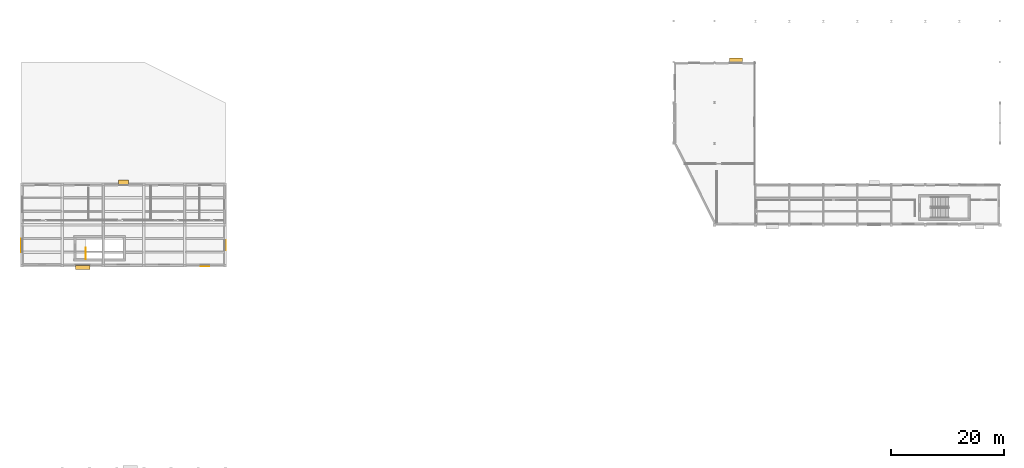
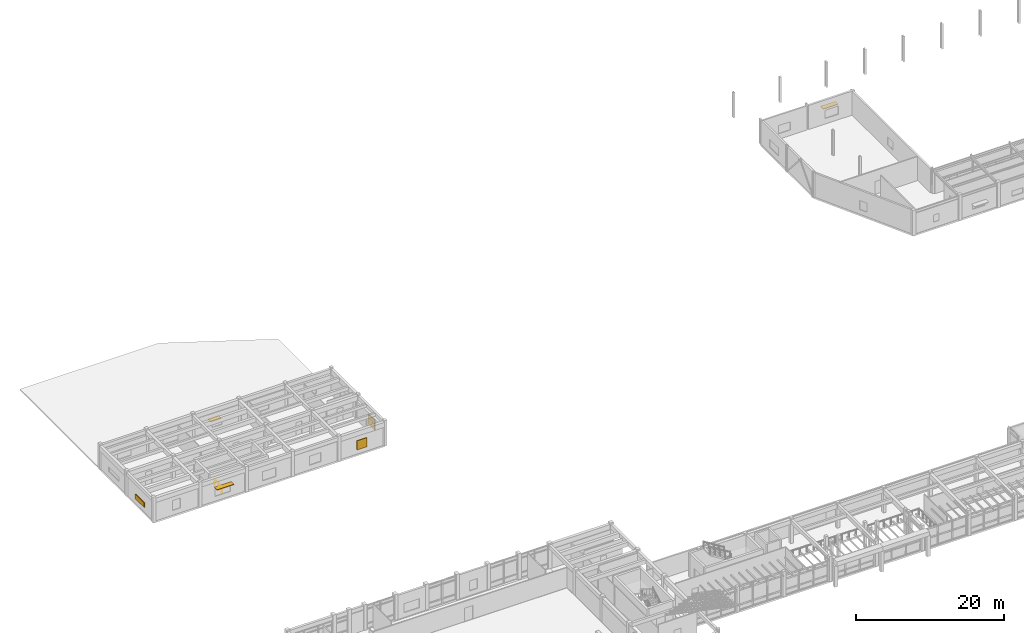
# One storey, part 55 of 60: 6 shading devices, 1 railing.
"""IFC4 building model written with IfcOpenShell, lengths in metres."""

from ifc_helpers import new_model, si_unit, direction, frame, origin, origin_2d, place, context, subcontext, project, spatial, rectangle, circle, extrude, material, layer, layer_set, type_object, element, save


model = new_model("IFC4")

# Units and contexts
model_context = context("Model", 3, precision=1e-05, world=origin(), true_north=direction((0.0, 1.0)))
body_context = subcontext(model_context, "Body", "Model", "MODEL_VIEW")
ifc_project = project(units=[si_unit("LENGTHUNIT", "METRE"), si_unit("AREAUNIT", "SQUARE_METRE"), si_unit("VOLUMEUNIT", "CUBIC_METRE"), si_unit("PLANEANGLEUNIT", "RADIAN"), si_unit("MASSUNIT", "GRAM", prefix="KILO")], contexts=[model_context])

# Site, building, storey
site_placement = place(None, origin())
site = spatial("IfcSite", under=ifc_project, at=site_placement, CompositionType="ELEMENT")
building_placement = place(site_placement, origin())
building = spatial("IfcBuilding", under=site, at=building_placement, Name="Brisavento Harbour Community Centre", CompositionType="ELEMENT")
storey_placement = place(building_placement, frame((0.0, 0.0, 4.5)))
storey = spatial("IfcBuildingStorey", under=building, at=storey_placement, Name="L01", CompositionType="ELEMENT", Elevation=4.5)

# Railing
ifc_material_1 = material(Name="Stainless steel 1.4401", Category="steel")
railing_type = type_object("IfcRailingType", Name="RL-ST-GUARD", PredefinedType="GUARDRAIL", material=ifc_material_1)
railing_placement = place(storey_placement, frame((11.35009765625, 73.199951171875, 0.0)))
element("IfcRailing", 1, at=railing_placement, inside=storey, type_object=railing_type, Name="L01 ST-07 top well guard 1", PredefinedType="GUARDRAIL", context=body_context, shape_type="SweptSolid", body=[
    extrude(circle(Radius=0.02392578125, at=origin_2d()), frame((0.0, 0.0, 1.076171875), z_axis=(0.0, 1.0, 0.0), x_axis=(-1.0, 0.0, 0.0)), (0.0, 0.0, 1.0), 1.949951171875),
    extrude(circle(Radius=0.02099609375, at=origin_2d()), origin(), (0.0, 0.0, 1.0), 1.052001953125),
    extrude(circle(Radius=0.02099609375, at=origin_2d()), frame((0.0, 0.97509765625, 0.0)), (0.0, 0.0, 1.0), 1.052001953125),
    extrude(circle(Radius=0.02099609375, at=origin_2d()), frame((0.0, 1.949951171875, 0.0)), (0.0, 0.0, 1.0), 1.052001953125),
])

# Shading devices
ifc_material_2 = material(Name="Off-white precast concrete C40/50", Category="concrete")
ifc_layer_1 = layer(ifc_material_2, 0.080078125, Name="Off-white precast concrete C40/50")
ifc_layer_set_1 = layer_set([ifc_layer_1], Name="Off-white precast concrete C40/50")
shading_device_type_1 = type_object("IfcShadingDeviceType", Name="SHD-BLADE", PredefinedType="USERDEFINED", material=ifc_layer_set_1)
shading_device_1_placement = place(storey_placement, frame((126.142578125, 108.35009765625, 2.260009765625), z_axis=(0.0, 0.0, 1.0), x_axis=(1.0, 0.0, 0.0)))
element("IfcShadingDevice", 2, at=shading_device_1_placement, inside=storey, type_object=shading_device_type_1, Name="L01 precast storm sunshade blade 21", ObjectType="SUNSHADE BLADE", PredefinedType="USERDEFINED", context=body_context, shape_type="SweptSolid", body=[
    extrude(rectangle(XDim=2.300048828125, YDim=0.75, at=origin_2d()), origin(), (0.0, 0.0, 1.0), 0.080078125),
])
shading_device_2_placement = place(storey_placement, frame((10.800048828125, 71.669921875, 2.260009765625), z_axis=(0.0, 0.0, 1.0), x_axis=(-1.0, 0.0, 0.0)))
element("IfcShadingDevice", 3, at=shading_device_2_placement, inside=storey, type_object=shading_device_type_1, Name="L01 precast storm sunshade blade 23", ObjectType="SUNSHADE BLADE", PredefinedType="USERDEFINED", context=body_context, shape_type="SweptSolid", body=[
    extrude(rectangle(XDim=2.60009765625, YDim=0.75, at=origin_2d()), origin(), (0.0, 0.0, 1.0), 0.080078125),
])
shading_device_3_placement = place(storey_placement, frame((18.0, 86.719970703125, 1.659912109375), z_axis=(0.0, 0.0, 1.0), x_axis=(1.0, 0.0, 0.0)))
element("IfcShadingDevice", 4, at=shading_device_3_placement, inside=storey, type_object=shading_device_type_1, Name="L01 precast storm sunshade blade 25", ObjectType="SUNSHADE BLADE", PredefinedType="USERDEFINED", context=body_context, shape_type="SweptSolid", body=[
    extrude(rectangle(XDim=1.699951171875, YDim=0.75, at=origin_2d()), origin(), (0.0, 0.0, 1.0), 0.080078125),
])
ifc_material_3 = material(Name="Marine-anodised aluminium AW-6063-T6", Category="aluminium")
ifc_layer_2 = layer(ifc_material_3, 0.1201171875, Name="Marine-anodised aluminium AW-6063-T6")
ifc_layer_set_2 = layer_set([ifc_layer_2], Name="Marine-anodised aluminium AW-6063-T6")
shading_device_type_2 = type_object("IfcShadingDeviceType", Name="SHD-LOUVRE", PredefinedType="JALOUSIE", material=ifc_layer_set_2)
shading_device_4_placement = place(storey_placement, frame((32.39990234375, 72.0048828125, 0.75), z_axis=(0.0, 0.0, 1.0), x_axis=(-1.0, 0.0, 0.0)))
element("IfcShadingDevice", 5, at=shading_device_4_placement, inside=storey, type_object=shading_device_type_2, Name="L01 hurricane storm louvre 22", PredefinedType="JALOUSIE", context=body_context, shape_type="SweptSolid", body=[
    extrude(rectangle(XDim=1.5, YDim=0.1201171875, at=origin_2d()), origin(), (0.0, 0.0, 1.0), 1.5),
])
shading_device_5_placement = place(storey_placement, frame((36.034912109375, 75.60009765625, 0.75), z_axis=(0.0, 0.0, 1.0), x_axis=(0.0, -1.0, 0.0)))
element("IfcShadingDevice", 6, at=shading_device_5_placement, inside=storey, type_object=shading_device_type_2, Name="L01 hurricane storm louvre 24", PredefinedType="JALOUSIE", context=body_context, shape_type="SweptSolid", body=[
    extrude(rectangle(XDim=1.800048828125, YDim=0.1201171875, at=origin_2d()), origin(), (0.0, 0.0, 1.0), 1.64990234375),
])
shading_device_6_placement = place(storey_placement, frame((-0.02490234375, 75.60009765625, 0.89990234375), z_axis=(0.0, 0.0, 1.0), x_axis=(0.0, 1.0, 0.0)))
element("IfcShadingDevice", 7, at=shading_device_6_placement, inside=storey, type_object=shading_device_type_2, Name="L01 hurricane storm louvre 26", PredefinedType="JALOUSIE", context=body_context, shape_type="SweptSolid", body=[
    extrude(rectangle(XDim=2.39990234375, YDim=0.1201171875, at=origin_2d()), origin(), (0.0, 0.0, 1.0), 0.75),
])

save(model, "model.ifc")
